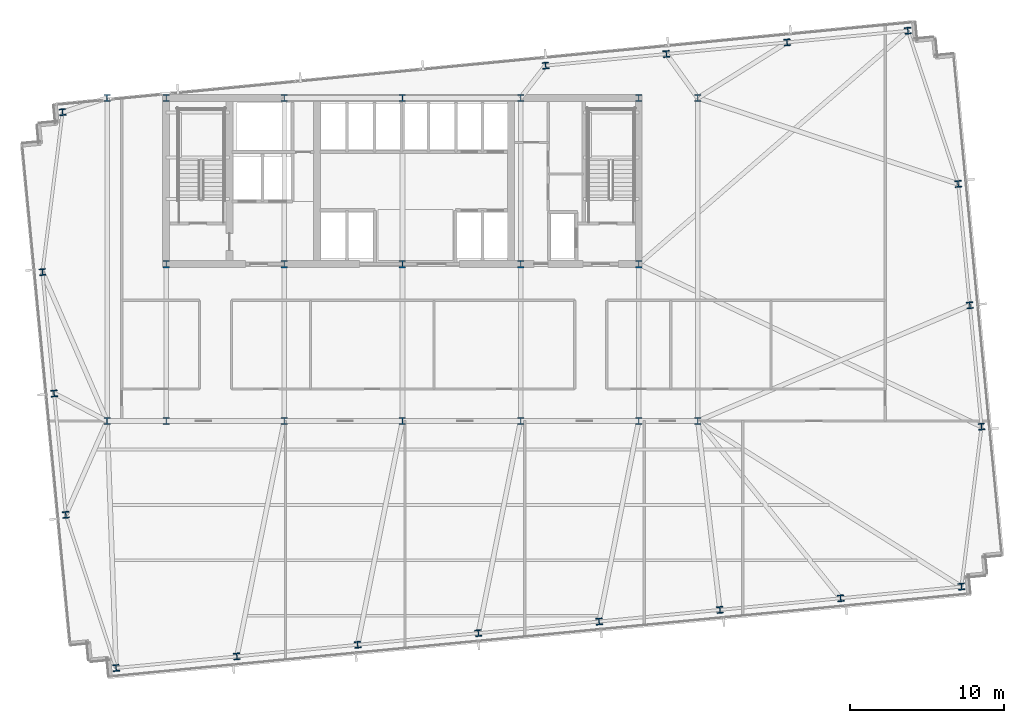
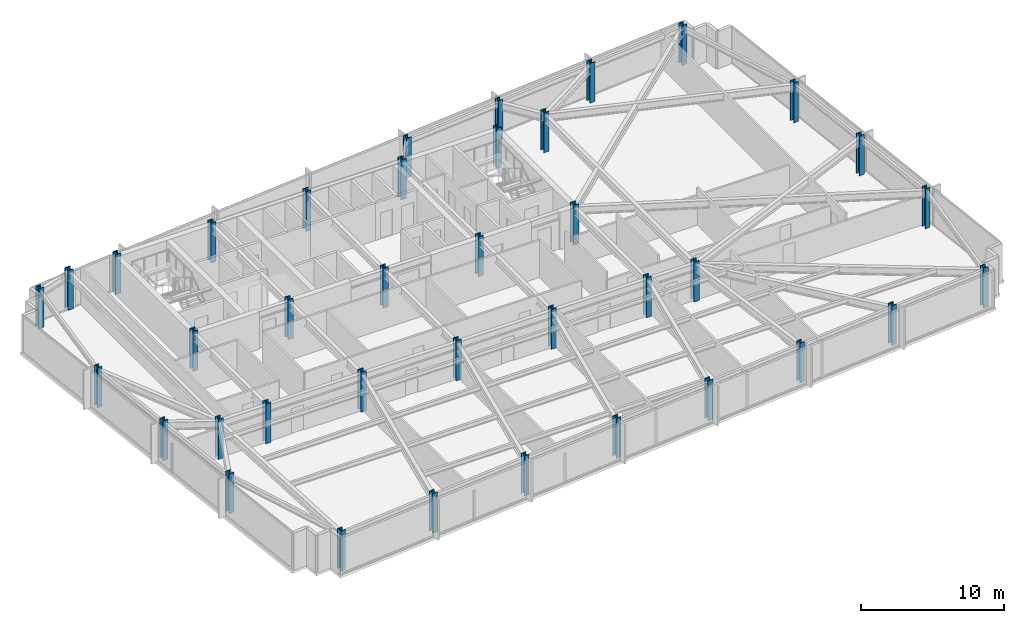
# One storey, part 1 of 32: 38 columns.
"""IFC4 building model written with IfcOpenShell, lengths in metres."""

from ifc_helpers import new_model, si_unit, direction, frame, origin, origin_2d, place, context, subcontext, project, spatial, i_section, extrude, material, material_profile, profile_set, type_object, element, save


model = new_model("IFC4")

# Units and contexts
model_context = context("Model", 3, precision=1e-05, world=origin(), true_north=direction((0.0, 1.0)))
body_context = subcontext(model_context, "Body", "Model", "MODEL_VIEW")
ifc_project = project(units=[si_unit("LENGTHUNIT", "METRE"), si_unit("AREAUNIT", "SQUARE_METRE"), si_unit("VOLUMEUNIT", "CUBIC_METRE"), si_unit("PLANEANGLEUNIT", "RADIAN"), si_unit("MASSUNIT", "GRAM", prefix="KILO")], contexts=[model_context])

# Site, building, storey
site_placement = place(None, origin())
site = spatial("IfcSite", under=ifc_project, at=site_placement, CompositionType="ELEMENT")
building_placement = place(site_placement, origin())
building = spatial("IfcBuilding", under=site, at=building_placement, Name="Yelkora Congress Tower", CompositionType="ELEMENT")
storey_placement = place(building_placement, frame((0.0, 0.0, 93.10009765625)))
storey = spatial("IfcBuildingStorey", under=building, at=storey_placement, Name="L24", CompositionType="ELEMENT", Elevation=93.10009765625)

# Columns
ifc_material = material(Name="Steel S460M", Category="steel")
ifc_material_profile_1 = material_profile(ifc_material, i_section(OverallWidth=0.412109375, OverallDepth=0.43505859375, WebThickness=0.035888671875, FlangeThickness=0.05810546875, FilletRadius=0.014892578125, at=origin_2d()), Name="HD 400x463")
ifc_profile_set_1 = profile_set([ifc_material_profile_1], Name="Steel S460M")
column_type_1 = type_object("IfcColumnType", Name="COL-HD-463-EXT", PredefinedType="COLUMN", material=ifc_profile_set_1)
for number, where, z_axis, x_axis, name in (
    (1, (19.785888671875, 9.144287109375, 0.0), (0.0, 0.0, 1.0), (0.995396198367, 0.09584575252, 0.0), "L24 Perimeter Column S01"),
    (2, (27.635498046875, 9.900146484375, 0.0), (0.0, 0.0, 1.0), (0.995396198367, 0.09584575252, 0.0), "L24 Perimeter Column S02"),
    (3, (35.48486328125, 10.656005859375, 0.0), (0.0, 0.0, 1.0), (0.995396198367, 0.09584575252, 0.0), "L24 Perimeter Column S03"),
    (4, (43.334228515625, 11.411865234375, 0.0), (0.0, 0.0, 1.0), (0.995396198367, 0.09584575252, 0.0), "L24 Perimeter Column S04"),
    (5, (51.18359375, 12.16748046875, 0.0), (0.0, 0.0, 1.0), (0.995396198367, 0.09584575252, 0.0), "L24 Perimeter Column S05"),
    (6, (59.033203125, 12.92333984375, 0.0), (0.0, 0.0, 1.0), (0.995396198367, 0.09584575252, 0.0), "L24 Perimeter Column S06"),
    (7, (66.882568359375, 13.67919921875, 0.0), (0.0, 0.0, 1.0), (0.995396198367, 0.09584575252, 0.0), "L24 Perimeter Column S07"),
    (8, (74.73193359375, 14.43505859375, 0.0), (0.0, 0.0, 1.0), (0.995396198367, 0.09584575252, 0.0), "L24 Perimeter Column S08"),
    (9, (16.306884765625, 45.27734375, 0.0), (0.0, 0.0, 1.0), (0.995396198367, 0.09584575252, 0.0), "L24 Perimeter Column N01"),
    (10, (47.70458984375, 48.300537109375, 0.0), (0.0, 0.0, 1.0), (0.995396198367, 0.09584575252, 0.0), "L24 Perimeter Column N05"),
    (11, (55.553955078125, 49.056396484375, 0.0), (0.0, 0.0, 1.0), (0.995396198367, 0.09584575252, 0.0), "L24 Perimeter Column N06"),
    (12, (63.4033203125, 49.81201171875, 0.0), (0.0, 0.0, 1.0), (0.995396198367, 0.09584575252, 0.0), "L24 Perimeter Column N07"),
    (13, (71.252685546875, 50.568115234375, 0.0), (0.0, 0.0, 1.0), (0.995396198367, 0.09584575252, 0.0), "L24 Perimeter Column N08"),
    (14, (16.5166015625, 19.101806640625, 0.0), (0.0, 0.0, 1.0), (0.995396198367, 0.09584575252, 0.0), "L24 Perimeter Column W01"),
    (15, (76.041259765625, 24.83349609375, 0.0), (0.0, 0.0, 1.0), (0.995396198367, 0.09584575252, 0.0), "L24 Perimeter Column E01"),
    (16, (15.757080078125, 26.990478515625, 0.0), (0.0, 0.0, 1.0), (0.995396198367, 0.09584575252, 0.0), "L24 Perimeter Column W02"),
    (17, (75.28173828125, 32.721923828125, 0.0), (0.0, 0.0, 1.0), (0.995396198367, 0.09584575252, 0.0), "L24 Perimeter Column E02"),
    (18, (14.997314453125, 34.87890625, 0.0), (0.0, 0.0, 1.0), (0.995396198367, 0.09584575252, 0.0), "L24 Perimeter Column W03"),
    (19, (74.522216796875, 40.610595703125, 0.0), (0.0, 0.0, 1.0), (0.995396198367, 0.09584575252, 0.0), "L24 Perimeter Column E03"),
):
    element("IfcColumn", number, at=place(storey_placement, frame(where, z_axis=z_axis, x_axis=x_axis)), inside=storey, type_object=column_type_1, Name=name, PredefinedType="COLUMN", context=body_context, shape_type="SweptSolid", body=[
        extrude(i_section(OverallWidth=0.412109375, OverallDepth=0.43505859375, WebThickness=0.035888671875, FlangeThickness=0.05810546875, FilletRadius=0.014892578125, at=origin_2d()), origin(), (0.0, 0.0, 1.0), 3.39990234375),
    ])
ifc_material_profile_2 = material_profile(ifc_material, i_section(OverallWidth=0.424072265625, OverallDepth=0.47412109375, WebThickness=0.047119140625, FlangeThickness=0.076904296875, FilletRadius=0.014892578125, at=origin_2d()), Name="HD 400x634")
ifc_profile_set_2 = profile_set([ifc_material_profile_2], Name="Steel S460M")
column_type_2 = type_object("IfcColumnType", Name="COL-HD-634", PredefinedType="COLUMN", material=ifc_profile_set_2)
for number, where, z_axis, x_axis, name in (
    (20, (23.0400390625, 35.39990234375, 0.0), (0.0, 0.0, 1.0), (1.0, 0.0, 0.0), "L24 Mega Column MC-S1"),
    (21, (23.0400390625, 46.199951171875, 0.0), (0.0, 0.0, 1.0), (1.0, 0.0, 0.0), "L24 Mega Column MC-N1"),
    (22, (23.0400390625, 25.199951171875, 0.0), (0.0, 0.0, 1.0), (1.0, 0.0, 0.0), "L24 Mega Column MC-D1"),
    (23, (30.719970703125, 35.39990234375, 0.0), (0.0, 0.0, 1.0), (1.0, 0.0, 0.0), "L24 Mega Column MC-S2"),
    (24, (30.719970703125, 46.199951171875, 0.0), (0.0, 0.0, 1.0), (1.0, 0.0, 0.0), "L24 Mega Column MC-N2"),
    (25, (30.719970703125, 25.199951171875, 0.0), (0.0, 0.0, 1.0), (1.0, 0.0, 0.0), "L24 Mega Column MC-D2"),
    (26, (38.39990234375, 35.39990234375, 0.0), (0.0, 0.0, 1.0), (1.0, 0.0, 0.0), "L24 Mega Column MC-S3"),
    (27, (38.39990234375, 46.199951171875, 0.0), (0.0, 0.0, 1.0), (1.0, 0.0, 0.0), "L24 Mega Column MC-N3"),
    (28, (38.39990234375, 25.199951171875, 0.0), (0.0, 0.0, 1.0), (1.0, 0.0, 0.0), "L24 Mega Column MC-D3"),
    (29, (46.080078125, 35.39990234375, 0.0), (0.0, 0.0, 1.0), (1.0, 0.0, 0.0), "L24 Mega Column MC-S4"),
    (30, (46.080078125, 46.199951171875, 0.0), (0.0, 0.0, 1.0), (1.0, 0.0, 0.0), "L24 Mega Column MC-N4"),
    (31, (46.080078125, 25.199951171875, 0.0), (0.0, 0.0, 1.0), (1.0, 0.0, 0.0), "L24 Mega Column MC-D4"),
    (32, (53.760009765625, 35.39990234375, 0.0), (0.0, 0.0, 1.0), (1.0, 0.0, 0.0), "L24 Mega Column MC-S5"),
    (33, (53.760009765625, 46.199951171875, 0.0), (0.0, 0.0, 1.0), (1.0, 0.0, 0.0), "L24 Mega Column MC-N5"),
    (34, (53.760009765625, 25.199951171875, 0.0), (0.0, 0.0, 1.0), (1.0, 0.0, 0.0), "L24 Mega Column MC-D5"),
    (35, (19.199951171875, 25.199951171875, 0.0), (0.0, 0.0, 1.0), (1.0, 0.0, 0.0), "L24 Mega Column MC-F1"),
    (36, (57.60009765625, 25.199951171875, 0.0), (0.0, 0.0, 1.0), (1.0, 0.0, 0.0), "L24 Mega Column MC-F2"),
    (37, (19.199951171875, 46.199951171875, 0.0), (0.0, 0.0, 1.0), (1.0, 0.0, 0.0), "L24 Mega Column MC-F3"),
    (38, (57.60009765625, 46.199951171875, 0.0), (0.0, 0.0, 1.0), (1.0, 0.0, 0.0), "L24 Mega Column MC-F4"),
):
    element("IfcColumn", number, at=place(storey_placement, frame(where, z_axis=z_axis, x_axis=x_axis)), inside=storey, type_object=column_type_2, Name=name, PredefinedType="COLUMN", context=body_context, shape_type="SweptSolid", body=[
        extrude(i_section(OverallWidth=0.424072265625, OverallDepth=0.47412109375, WebThickness=0.047119140625, FlangeThickness=0.076904296875, FilletRadius=0.014892578125, at=origin_2d()), origin(), (0.0, 0.0, 1.0), 3.39990234375),
    ])

save(model, "model.ifc")
